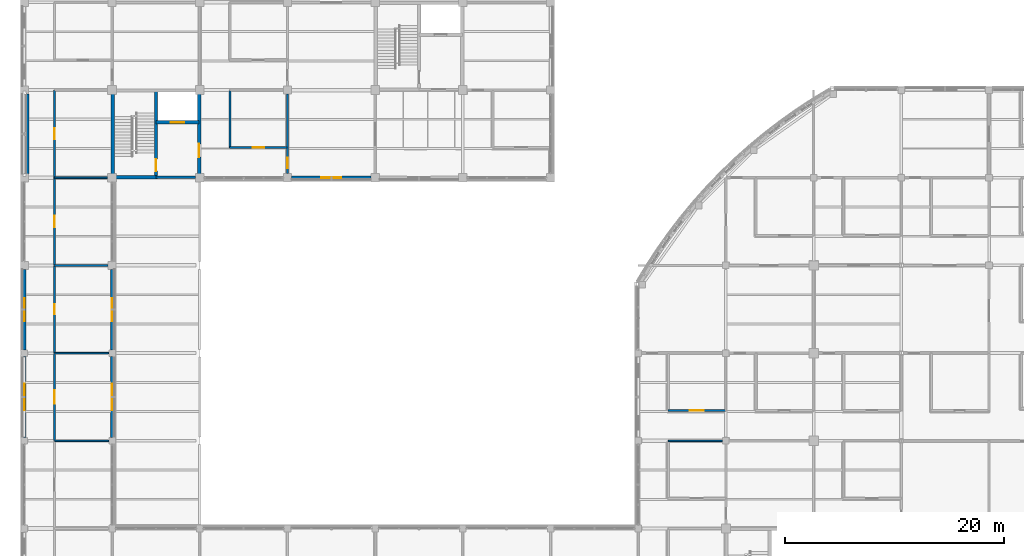
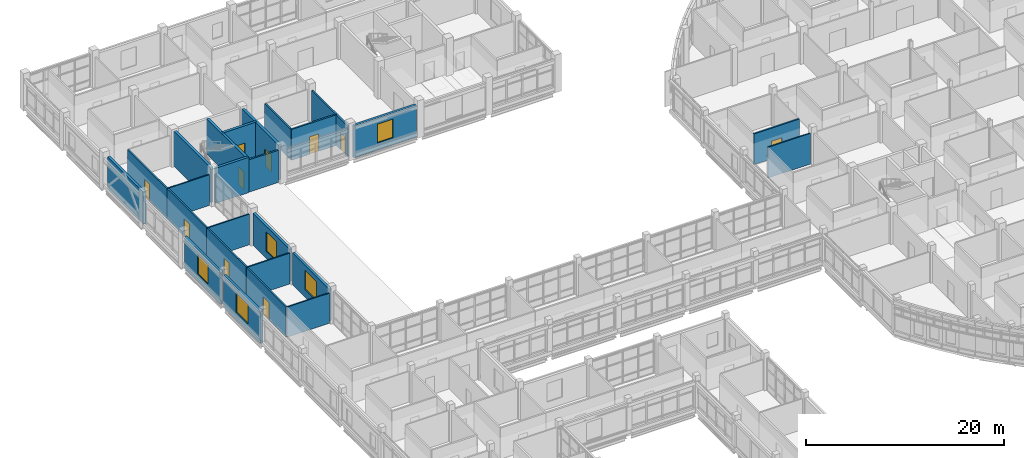
# One storey, part 85 of 121: 25 walls, 10 doors, 5 windows, 15 openings.
"""IFC4 building model written with IfcOpenShell, lengths in metres."""

from ifc_helpers import new_model, si_unit, derived_unit, direction, frame, frame_2d, origin, place, context, subcontext, project, spatial, rectangle, extrude, material, layer, layer_set, type_object, element, fill, save


model = new_model("IFC4")

# Units and contexts
model_context = context("Model", 3, precision=1e-05, world=origin(), true_north=direction((0.0, 1.0)))
body_context = subcontext(model_context, "Body", "Model", "MODEL_VIEW")
ifc_project = project(units=[si_unit("LENGTHUNIT", "METRE"), si_unit("AREAUNIT", "SQUARE_METRE"), si_unit("VOLUMEUNIT", "CUBIC_METRE"), si_unit("PLANEANGLEUNIT", "RADIAN"), si_unit("MASSUNIT", "GRAM", prefix="KILO"), derived_unit("THERMALTRANSMITTANCEUNIT", [(si_unit("MASSUNIT", "GRAM", prefix="KILO"), 1), (si_unit("TIMEUNIT", "SECOND"), -3), (si_unit("THERMODYNAMICTEMPERATUREUNIT", "KELVIN"), -1)])], contexts=[model_context])

# Site, building, storey
site_placement = place(None, origin())
site = spatial("IfcSite", under=ifc_project, at=site_placement, CompositionType="ELEMENT")
building_placement = place(site_placement, origin())
building = spatial("IfcBuilding", under=site, at=building_placement, Name="Veyamyaing Civic Hall", CompositionType="ELEMENT")
storey_placement = place(building_placement, frame((0.0, 0.0, 5.280029296875)))
storey = spatial("IfcBuildingStorey", under=building, at=storey_placement, Name="L01", CompositionType="ELEMENT", Elevation=5.280029296875)

# Wall, opening, window
ifc_material_1 = material(Name="Precast concrete C40/50", Category="concrete")
ifc_layer_1 = layer(ifc_material_1, 0.280029296875, Name="Precast concrete C40/50")
ifc_layer_set_1 = layer_set([ifc_layer_1], Name="Precast concrete C40/50")
wall_type_1 = type_object("IfcWallType", Name="WT-04", PredefinedType="SOLIDWALL", material=ifc_layer_set_1)
wall_1_placement = place(storey_placement, frame((0.0, 64.284912109375, 0.0), z_axis=(0.0, 0.0, 1.0), x_axis=(0.0, 1.0, 0.0)))
wall_1 = element("IfcWall", 1, at=wall_1_placement, inside=storey, type_object=wall_type_1, Name="Exterior facade wall WT-04 L01 W 1.9", PredefinedType="SOLIDWALL", context=body_context, shape_type="SweptSolid", body=[
    extrude(rectangle(XDim=7.43017578125, YDim=0.280029296875, at=frame_2d((3.715087890625, 0.0))), origin(), (0.0, 0.0, 1.0), 3.973876953125),
])
opening_1_placement = place(wall_1_placement, frame((2.514892578125, 0.0, 0.89990234375)))
opening_1 = element("IfcOpeningElement", 2, at=opening_1_placement, cuts=wall_1, Name="Opening W-04", PredefinedType="OPENING", context=body_context, shape_type="SweptSolid", body=[
    extrude(rectangle(XDim=2.39990234375, YDim=2.39990234375, at=frame_2d((1.199951171875, 1.199951171875))), frame((0.0, 0.14990234375, 0.0), z_axis=(0.0, -1.0, 0.0), x_axis=(1.0, 0.0, 0.0)), (0.0, 0.0, 1.0), 0.300048828125),
])
ifc_material_2 = material(Name="Low-E insulated glass", Category="glass")
window_type_1 = type_object("IfcWindowType", Name="W-04", PartitioningType="SINGLE_PANEL", PredefinedType="WINDOW", material=ifc_material_2)
window_1_placement = place(opening_1_placement, origin())
window_1 = element("IfcWindow", 3, at=window_1_placement, inside=storey, type_object=window_type_1, Name="Facade window W-04 L01 W 1.9", OverallHeight=2.39990234375, OverallWidth=2.39990234375, PartitioningType="SINGLE_PANEL", PredefinedType="WINDOW", context=body_context, shape_type="SweptSolid", body=[
    extrude(rectangle(XDim=2.39990234375, YDim=2.39990234375, at=frame_2d((1.199951171875, 1.199951171875))), frame((0.0, 0.030029296875, 0.0), z_axis=(0.0, -1.0, 0.0), x_axis=(1.0, 0.0, 0.0)), (0.0, 0.0, 1.0), 0.06005859375),
])
fill(opening_1, window_1)

wall_2_placement = place(storey_placement, frame((8.0, 64.284912109375, 0.0), z_axis=(0.0, 0.0, 1.0), x_axis=(0.0, 1.0, 0.0)))
wall_2 = element("IfcWall", 4, at=wall_2_placement, inside=storey, type_object=wall_type_1, Name="Exterior facade wall WT-04 L01 E 1.9", PredefinedType="SOLIDWALL", context=body_context, shape_type="SweptSolid", body=[
    extrude(rectangle(XDim=7.43017578125, YDim=0.280029296875, at=frame_2d((3.715087890625, 0.0))), origin(), (0.0, 0.0, 1.0), 3.9140625),
])
opening_2_placement = place(wall_2_placement, frame((2.514892578125, 0.0, 0.89990234375)))
opening_2 = element("IfcOpeningElement", 5, at=opening_2_placement, cuts=wall_2, Name="Opening W-04", PredefinedType="OPENING", context=body_context, shape_type="SweptSolid", body=[
    extrude(rectangle(XDim=2.39990234375, YDim=2.39990234375, at=frame_2d((1.199951171875, 1.199951171875))), frame((0.0, 0.14990234375, 0.0), z_axis=(0.0, -1.0, 0.0), x_axis=(1.0, 0.0, 0.0)), (0.0, 0.0, 1.0), 0.300048828125),
])
window_2_placement = place(opening_2_placement, origin())
window_2 = element("IfcWindow", 6, at=window_2_placement, inside=storey, type_object=window_type_1, Name="Facade window W-04 L01 E 1.9", OverallHeight=2.39990234375, OverallWidth=2.39990234375, PartitioningType="SINGLE_PANEL", PredefinedType="WINDOW", context=body_context, shape_type="SweptSolid", body=[
    extrude(rectangle(XDim=2.39990234375, YDim=2.39990234375, at=frame_2d((1.199951171875, 1.199951171875))), frame((0.0, 0.030029296875, 0.0), z_axis=(0.0, -1.0, 0.0), x_axis=(1.0, 0.0, 0.0)), (0.0, 0.0, 1.0), 0.06005859375),
])
fill(opening_2, window_2)

wall_3_placement = place(storey_placement, frame((0.0, 72.284912109375, 0.0), z_axis=(0.0, 0.0, 1.0), x_axis=(0.0, 1.0, 0.0)))
wall_3 = element("IfcWall", 7, at=wall_3_placement, inside=storey, type_object=wall_type_1, Name="Exterior facade wall WT-04 L01 W 1.10", PredefinedType="SOLIDWALL", context=body_context, shape_type="SweptSolid", body=[
    extrude(rectangle(XDim=7.35498046875, YDim=0.280029296875, at=frame_2d((3.677490234375, 0.0))), origin(), (0.0, 0.0, 1.0), 3.9140625),
])
opening_3_placement = place(wall_3_placement, frame((2.62744140625, 0.0, 0.89990234375)))
opening_3 = element("IfcOpeningElement", 8, at=opening_3_placement, cuts=wall_3, Name="Opening W-05", PredefinedType="OPENING", context=body_context, shape_type="SweptSolid", body=[
    extrude(rectangle(XDim=2.10009765625, YDim=2.39990234375, at=frame_2d((1.050048828125, 1.199951171875))), frame((0.0, 0.14990234375, 0.0), z_axis=(0.0, -1.0, 0.0), x_axis=(1.0, 0.0, 0.0)), (0.0, 0.0, 1.0), 0.300048828125),
])
window_type_2 = type_object("IfcWindowType", Name="W-05", PartitioningType="SINGLE_PANEL", PredefinedType="WINDOW", material=ifc_material_2)
window_3_placement = place(opening_3_placement, origin())
window_3 = element("IfcWindow", 9, at=window_3_placement, inside=storey, type_object=window_type_2, Name="Facade window W-05 L01 W 1.10", OverallHeight=2.39990234375, OverallWidth=2.10009765625, PartitioningType="SINGLE_PANEL", PredefinedType="WINDOW", context=body_context, shape_type="SweptSolid", body=[
    extrude(rectangle(XDim=2.10009765625, YDim=2.39990234375, at=frame_2d((1.050048828125, 1.199951171875))), frame((0.0, 0.030029296875, 0.0), z_axis=(0.0, -1.0, 0.0), x_axis=(1.0, 0.0, 0.0)), (0.0, 0.0, 1.0), 0.06005859375),
])
fill(opening_3, window_3)

wall_4_placement = place(storey_placement, frame((8.0, 72.284912109375, 0.0), z_axis=(0.0, 0.0, 1.0), x_axis=(0.0, 1.0, 0.0)))
wall_4 = element("IfcWall", 10, at=wall_4_placement, inside=storey, type_object=wall_type_1, Name="Exterior facade wall WT-04 L01 E 1.10", PredefinedType="SOLIDWALL", context=body_context, shape_type="SweptSolid", body=[
    extrude(rectangle(XDim=7.35498046875, YDim=0.280029296875, at=frame_2d((3.677490234375, 0.0))), origin(), (0.0, 0.0, 1.0), 3.97705078125),
])
opening_4_placement = place(wall_4_placement, frame((2.62744140625, 0.0, 0.89990234375)))
opening_4 = element("IfcOpeningElement", 11, at=opening_4_placement, cuts=wall_4, Name="Opening W-05", PredefinedType="OPENING", context=body_context, shape_type="SweptSolid", body=[
    extrude(rectangle(XDim=2.10009765625, YDim=2.39990234375, at=frame_2d((1.050048828125, 1.199951171875))), frame((0.0, 0.14990234375, 0.0), z_axis=(0.0, -1.0, 0.0), x_axis=(1.0, 0.0, 0.0)), (0.0, 0.0, 1.0), 0.300048828125),
])
window_4_placement = place(opening_4_placement, origin())
window_4 = element("IfcWindow", 12, at=window_4_placement, inside=storey, type_object=window_type_2, Name="Facade window W-05 L01 E 1.10", OverallHeight=2.39990234375, OverallWidth=2.10009765625, PartitioningType="SINGLE_PANEL", PredefinedType="WINDOW", context=body_context, shape_type="SweptSolid", body=[
    extrude(rectangle(XDim=2.10009765625, YDim=2.39990234375, at=frame_2d((1.050048828125, 1.199951171875))), frame((0.0, 0.030029296875, 0.0), z_axis=(0.0, -1.0, 0.0), x_axis=(1.0, 0.0, 0.0)), (0.0, 0.0, 1.0), 0.06005859375),
])
fill(opening_4, window_4)

# Wall
wall_5_placement = place(storey_placement, frame((0.300048828125, 88.360107421875, 0.0), z_axis=(0.0, 0.0, 1.0), x_axis=(0.0, 1.0, 0.0)))
element("IfcWall", 13, at=wall_5_placement, inside=storey, type_object=wall_type_1, Name="Exterior facade wall WT-04 L01 W 1.12", PredefinedType="SOLIDWALL", context=body_context, shape_type="SweptSolid", body=[
    extrude(rectangle(XDim=7.27978515625, YDim=0.280029296875, at=frame_2d((3.639892578125, 0.0))), origin(), (0.0, 0.0, 1.0), 3.909912109375),
])

# Wall, opening, window
wall_6_placement = place(storey_placement, frame((24.360107421875, 88.0, 0.0), z_axis=(0.0, 0.0, 1.0), x_axis=(1.0, 0.0, 0.0)))
wall_6 = element("IfcWall", 14, at=wall_6_placement, inside=storey, type_object=wall_type_1, Name="Exterior facade wall WT-04 L01 S 4.12", PredefinedType="SOLIDWALL", context=body_context, shape_type="SweptSolid", body=[
    extrude(rectangle(XDim=7.27978515625, YDim=0.280029296875, at=frame_2d((3.639892578125, 0.0))), origin(), (0.0, 0.0, 1.0), 3.97705078125),
])
opening_5_placement = place(wall_6_placement, frame((2.739990234375, 0.0, 0.89990234375)))
opening_5 = element("IfcOpeningElement", 15, at=opening_5_placement, cuts=wall_6, Name="Opening W-06", PredefinedType="OPENING", context=body_context, shape_type="SweptSolid", body=[
    extrude(rectangle(XDim=1.800048828125, YDim=2.300048828125, at=frame_2d((0.89990234375, 1.14990234375))), frame((0.0, 0.14990234375, 0.0), z_axis=(0.0, -1.0, 0.0), x_axis=(1.0, 0.0, 0.0)), (0.0, 0.0, 1.0), 0.300048828125),
])
window_type_3 = type_object("IfcWindowType", Name="W-06", PartitioningType="SINGLE_PANEL", PredefinedType="WINDOW", material=ifc_material_2)
window_5_placement = place(opening_5_placement, origin())
window_5 = element("IfcWindow", 16, at=window_5_placement, inside=storey, type_object=window_type_3, Name="Facade window W-06 L01 S 4.12", OverallHeight=2.300048828125, OverallWidth=1.800048828125, PartitioningType="SINGLE_PANEL", PredefinedType="WINDOW", context=body_context, shape_type="SweptSolid", body=[
    extrude(rectangle(XDim=1.800048828125, YDim=2.300048828125, at=frame_2d((0.89990234375, 1.14990234375))), frame((0.0, 0.030029296875, 0.0), z_axis=(0.0, -1.0, 0.0), x_axis=(1.0, 0.0, 0.0)), (0.0, 0.0, 1.0), 0.06005859375),
])
fill(opening_5, window_5)

# Wall
ifc_material_3 = material(Name="Concrete C40/50", Category="concrete")
ifc_layer_2 = layer(ifc_material_3, 0.300048828125, Name="Concrete C40/50")
ifc_layer_set_2 = layer_set([ifc_layer_2], Name="Concrete C40/50")
wall_type_2 = type_object("IfcWallType", Name="WT-05", PredefinedType="SHEAR", material=ifc_layer_set_2)
wall_7_placement = place(storey_placement, frame((8.050048828125, 88.2900390625, 0.0), z_axis=(0.0, 0.0, 1.0), x_axis=(0.0, 1.0, 0.0)))
element("IfcWall", 17, at=wall_7_placement, inside=storey, type_object=wall_type_2, Name="Core shear wall WT-05 CORE-1 L01.W", PredefinedType="SHEAR", context=body_context, shape_type="SweptSolid", body=[
    extrude(rectangle(XDim=7.419921875, YDim=0.300048828125, at=frame_2d((3.7099609375, 0.0))), origin(), (0.0, 0.0, 1.0), 4.3349609375),
])

# Wall, opening, door
wall_8_placement = place(storey_placement, frame((15.949951171875, 88.2900390625, 0.0), z_axis=(0.0, 0.0, 1.0), x_axis=(0.0, 1.0, 0.0)))
wall_8 = element("IfcWall", 18, at=wall_8_placement, inside=storey, type_object=wall_type_2, Name="Core shear wall WT-05 CORE-1 L01.E", PredefinedType="SHEAR", context=body_context, shape_type="SweptSolid", body=[
    extrude(rectangle(XDim=7.419921875, YDim=0.300048828125, at=frame_2d((3.7099609375, 0.0))), origin(), (0.0, 0.0, 1.0), 4.3349609375),
])
opening_6_placement = place(wall_8_placement, frame((1.60009765625, 0.0, 0.0)))
opening_6 = element("IfcOpeningElement", 19, at=opening_6_placement, cuts=wall_8, Name="Opening D-04", PredefinedType="OPENING", context=body_context, shape_type="SweptSolid", body=[
    extrude(rectangle(XDim=1.199951171875, YDim=2.14990234375, at=frame_2d((0.60009765625, 1.074951171875))), frame((0.0, 0.159912109375, 0.0), z_axis=(0.0, -1.0, 0.0), x_axis=(1.0, 0.0, 0.0)), (0.0, 0.0, 1.0), 0.320068359375),
])
ifc_material_4 = material(Name="Galvanized steel S355J2", Category="steel")
door_type_1 = type_object("IfcDoorType", Name="D-04", OperationType="NOTDEFINED", PredefinedType="DOOR", material=ifc_material_4)
door_1_placement = place(opening_6_placement, frame((1.199951171875, 0.0, 0.0), z_axis=(0.0, 0.0, 1.0), x_axis=(-1.0, 0.0, 0.0)))
door_1 = element("IfcDoor", 20, at=door_1_placement, inside=storey, type_object=door_type_1, Name="Protected lobby fire door D-04 CORE-1 L01", OperationType="SINGLE_SWING_RIGHT", OverallHeight=2.14990234375, OverallWidth=1.199951171875, PredefinedType="DOOR", context=body_context, shape_type="SweptSolid", body=[
    extrude(rectangle(XDim=1.199951171875, YDim=2.14990234375, at=frame_2d((0.60009765625, 1.074951171875))), frame((0.0, 0.02490234375, 0.0), z_axis=(0.0, -1.0, 0.0), x_axis=(1.0, 0.0, 0.0)), (0.0, 0.0, 1.0), 0.050048828125),
])
fill(opening_6, door_1)

# Wall
wall_9_placement = place(storey_placement, frame((8.2900390625, 88.050048828125, 0.0), z_axis=(0.0, 0.0, 1.0), x_axis=(1.0, 0.0, 0.0)))
element("IfcWall", 21, at=wall_9_placement, inside=storey, type_object=wall_type_2, Name="Core shear wall WT-05 CORE-1 L01.SS", PredefinedType="SHEAR", context=body_context, shape_type="SweptSolid", body=[
    extrude(rectangle(XDim=3.85986328125, YDim=0.300048828125, at=frame_2d((1.929931640625, 0.0))), origin(), (0.0, 0.0, 1.0), 4.3349609375),
])

# Wall, opening, door
wall_10_placement = place(storey_placement, frame((12.0, 88.050048828125, 0.0), z_axis=(0.0, 0.0, 1.0), x_axis=(0.0, 1.0, 0.0)))
wall_10 = element("IfcWall", 22, at=wall_10_placement, inside=storey, type_object=wall_type_2, Name="Core shear wall WT-05 CORE-1 L01.MID", PredefinedType="SHEAR", context=body_context, shape_type="SweptSolid", body=[
    extrude(rectangle(XDim=7.89990234375, YDim=0.300048828125, at=frame_2d((3.949951171875, 0.0))), origin(), (0.0, 0.0, 1.0), 4.3349609375),
])
opening_7_placement = place(wall_10_placement, frame((0.550048828125, 0.0, 0.0)))
opening_7 = element("IfcOpeningElement", 23, at=opening_7_placement, cuts=wall_10, Name="Opening D-03", PredefinedType="OPENING", context=body_context, shape_type="SweptSolid", body=[
    extrude(rectangle(XDim=1.10009765625, YDim=2.14990234375, at=frame_2d((0.550048828125, 1.074951171875))), frame((0.0, 0.159912109375, 0.0), z_axis=(0.0, -1.0, 0.0), x_axis=(1.0, 0.0, 0.0)), (0.0, 0.0, 1.0), 0.320068359375),
])
door_type_2 = type_object("IfcDoorType", Name="D-03", OperationType="NOTDEFINED", PredefinedType="DOOR", material=ifc_material_4)
door_2_placement = place(opening_7_placement, origin())
door_2 = element("IfcDoor", 24, at=door_2_placement, inside=storey, type_object=door_type_2, Name="Exit stair fire door D-03 ST-01 L01", OperationType="SINGLE_SWING_LEFT", OverallHeight=2.14990234375, OverallWidth=1.10009765625, PredefinedType="DOOR", context=body_context, shape_type="SweptSolid", body=[
    extrude(rectangle(XDim=1.10009765625, YDim=2.14990234375, at=frame_2d((0.550048828125, 1.074951171875))), frame((0.0, 0.02490234375, 0.0), z_axis=(0.0, -1.0, 0.0), x_axis=(1.0, 0.0, 0.0)), (0.0, 0.0, 1.0), 0.050048828125),
])
fill(opening_7, door_2)

wall_11_placement = place(storey_placement, frame((12.0, 93.050048828125, 0.0), z_axis=(0.0, 0.0, 1.0), x_axis=(1.0, 0.0, 0.0)))
wall_11 = element("IfcWall", 25, at=wall_11_placement, inside=storey, type_object=wall_type_2, Name="Core shear wall WT-05 CORE-1 L01.LFT", PredefinedType="SHEAR", context=body_context, shape_type="SweptSolid", body=[
    extrude(rectangle(XDim=3.949951171875, YDim=0.300048828125, at=frame_2d((1.97509765625, 0.0))), origin(), (0.0, 0.0, 1.0), 4.3349609375),
])
opening_8_placement = place(wall_11_placement, frame((1.375, 0.0, 0.0)))
opening_8 = element("IfcOpeningElement", 26, at=opening_8_placement, cuts=wall_11, Name="Opening LD-02", PredefinedType="OPENING", context=body_context, shape_type="SweptSolid", body=[
    extrude(rectangle(XDim=1.199951171875, YDim=2.199951171875, at=frame_2d((0.60009765625, 1.10009765625))), frame((0.0, 0.159912109375, 0.0), z_axis=(0.0, -1.0, 0.0), x_axis=(1.0, 0.0, 0.0)), (0.0, 0.0, 1.0), 0.320068359375),
])
door_type_3 = type_object("IfcDoorType", Name="LD-02", OperationType="SLIDING_TO_LEFT", PredefinedType="DOOR", material=ifc_material_4)
door_3_placement = place(opening_8_placement, origin())
door_3 = element("IfcDoor", 27, at=door_3_placement, inside=storey, type_object=door_type_3, Name="Lift sliding landing door LD-02 FL-01 L01", OperationType="SLIDING_TO_LEFT", OverallHeight=2.199951171875, OverallWidth=1.199951171875, PredefinedType="DOOR", context=body_context, shape_type="SweptSolid", body=[
    extrude(rectangle(XDim=1.199951171875, YDim=2.199951171875, at=frame_2d((0.60009765625, 1.10009765625))), frame((0.0, 0.02490234375, 0.0), z_axis=(0.0, -1.0, 0.0), x_axis=(1.0, 0.0, 0.0)), (0.0, 0.0, 1.0), 0.050048828125),
])
fill(opening_8, door_3)

# Wall
ifc_layer_3 = layer(ifc_material_3, 0.199951171875, Name="Concrete C40/50")
ifc_layer_set_3 = layer_set([ifc_layer_3], Name="Concrete C40/50")
wall_type_3 = type_object("IfcWallType", Name="WT-06", PredefinedType="PARTITIONING", material=ifc_layer_set_3)
wall_12_placement = place(storey_placement, frame((12.0, 88.050048828125, 0.0), z_axis=(0.0, 0.0, 1.0), x_axis=(1.0, 0.0, 0.0)))
element("IfcWall", 28, at=wall_12_placement, inside=storey, type_object=wall_type_3, Name="Firefighting lift lobby wall WT-06 CORE-1 L01", PredefinedType="PARTITIONING", context=body_context, shape_type="SweptSolid", body=[
    extrude(rectangle(XDim=3.610107421875, YDim=0.199951171875, at=frame_2d((1.80517578125, 0.0))), origin(), (0.0, 0.0, 1.0), 3.967041015625),
])

# Wall, opening, door
ifc_material_5 = material(Name="Gypsum board on acoustic steel stud", Category="steel")
ifc_layer_4 = layer(ifc_material_5, 0.175048828125, Name="Gypsum board on acoustic steel stud")
ifc_layer_set_4 = layer_set([ifc_layer_4], Name="Gypsum board on acoustic steel stud")
wall_type_4 = type_object("IfcWallType", Name="WT-07", PredefinedType="PARTITIONING", material=ifc_layer_set_4)
wall_13_placement = place(storey_placement, frame((2.75, 72.02001953125, 0.0), z_axis=(0.0, 0.0, 1.0), x_axis=(0.0, 1.0, 0.0)))
wall_13 = element("IfcWall", 29, at=wall_13_placement, inside=storey, type_object=wall_type_4, Name="Corridor gallery partition WT-07 L01.7.1", PredefinedType="PARTITIONING", context=body_context, shape_type="SweptSolid", body=[
    extrude(rectangle(XDim=7.9599609375, YDim=0.175048828125, at=frame_2d((3.97998046875, 0.0))), origin(), (0.0, 0.0, 1.0), 3.77099609375),
])
opening_9_placement = place(wall_13_placement, frame((3.510009765625, 0.0, 0.0)))
opening_9 = element("IfcOpeningElement", 30, at=opening_9_placement, cuts=wall_13, Name="Opening D-30", PredefinedType="OPENING", context=body_context, shape_type="SweptSolid", body=[
    extrude(rectangle(XDim=0.93994140625, YDim=2.1201171875, at=frame_2d((0.469970703125, 1.06005859375))), frame((0.0, 0.097412109375, 0.0), z_axis=(0.0, -1.0, 0.0), x_axis=(1.0, 0.0, 0.0)), (0.0, 0.0, 1.0), 0.195068359375),
])
ifc_material_6 = material(Name="Teak-veneered acoustic timber", Category="wood")
door_type_4 = type_object("IfcDoorType", Name="D-30", OperationType="NOTDEFINED", PredefinedType="DOOR", material=ifc_material_6)
door_4_placement = place(opening_9_placement, frame((0.93994140625, 0.0, 0.0), z_axis=(0.0, 0.0, 1.0), x_axis=(-1.0, 0.0, 0.0)))
door_4 = element("IfcDoor", 31, at=door_4_placement, inside=storey, type_object=door_type_4, Name="Gallery office door D-30 L01.7", OperationType="SINGLE_SWING_LEFT", OverallHeight=2.1201171875, OverallWidth=0.93994140625, PredefinedType="DOOR", context=body_context, shape_type="SweptSolid", body=[
    extrude(rectangle(XDim=0.93994140625, YDim=2.1201171875, at=frame_2d((0.469970703125, 1.06005859375))), frame((0.0, 0.02490234375, 0.0), z_axis=(0.0, -1.0, 0.0), x_axis=(1.0, 0.0, 0.0)), (0.0, 0.0, 1.0), 0.050048828125),
])
fill(opening_9, door_4)

wall_14_placement = place(storey_placement, frame((2.75, 88.02001953125, 0.0), z_axis=(0.0, 0.0, 1.0), x_axis=(0.0, 1.0, 0.0)))
wall_14 = element("IfcWall", 32, at=wall_14_placement, inside=storey, type_object=wall_type_4, Name="Corridor gallery partition WT-07 L01.9.1", PredefinedType="PARTITIONING", context=body_context, shape_type="SweptSolid", body=[
    extrude(rectangle(XDim=7.9599609375, YDim=0.175048828125, at=frame_2d((3.97998046875, 0.0))), origin(), (0.0, 0.0, 1.0), 3.7119140625),
])
opening_10_placement = place(wall_14_placement, frame((3.47998046875, 0.0, 0.0)))
opening_10 = element("IfcOpeningElement", 33, at=opening_10_placement, cuts=wall_14, Name="Opening D-13", PredefinedType="OPENING", context=body_context, shape_type="SweptSolid", body=[
    extrude(rectangle(XDim=1.0, YDim=2.14990234375, at=frame_2d((0.5, 1.074951171875))), frame((0.0, 0.097412109375, 0.0), z_axis=(0.0, -1.0, 0.0), x_axis=(1.0, 0.0, 0.0)), (0.0, 0.0, 1.0), 0.195068359375),
])
door_type_5 = type_object("IfcDoorType", Name="D-13", OperationType="NOTDEFINED", PredefinedType="DOOR", material=ifc_material_6)
door_5_placement = place(opening_10_placement, frame((1.0, 0.0, 0.0), z_axis=(0.0, 0.0, 1.0), x_axis=(-1.0, 0.0, 0.0)))
door_5 = element("IfcDoor", 34, at=door_5_placement, inside=storey, type_object=door_type_5, Name="Gallery office door D-13 L01.9", OperationType="SINGLE_SWING_LEFT", OverallHeight=2.14990234375, OverallWidth=1.0, PredefinedType="DOOR", context=body_context, shape_type="SweptSolid", body=[
    extrude(rectangle(XDim=1.0, YDim=2.14990234375, at=frame_2d((0.5, 1.074951171875))), frame((0.0, 0.02490234375, 0.0), z_axis=(0.0, -1.0, 0.0), x_axis=(1.0, 0.0, 0.0)), (0.0, 0.0, 1.0), 0.050048828125),
])
fill(opening_10, door_5)

# Walls
ifc_material_7 = material(Name="Gypsum board on steel stud", Category="steel")
ifc_layer_5 = layer(ifc_material_7, 0.14990234375, Name="Gypsum board on steel stud")
ifc_layer_set_5 = layer_set([ifc_layer_5], Name="Gypsum board on steel stud")
wall_type_5 = type_object("IfcWallType", Name="WT-08", PredefinedType="PARTITIONING", material=ifc_layer_set_5)
wall_15_placement = place(storey_placement, frame((2.75, 64.0, 0.0), z_axis=(0.0, 0.0, 1.0), x_axis=(1.0, 0.0, 0.0)))
element("IfcWall", 35, at=wall_15_placement, inside=storey, type_object=wall_type_5, Name="Gallery office end partition WT-08 L01.5.2", PredefinedType="PARTITIONING", context=body_context, shape_type="SweptSolid", body=[
    extrude(rectangle(XDim=4.93994140625, YDim=0.14990234375, at=frame_2d((2.469970703125, 0.0))), origin(), (0.0, 0.0, 1.0), 3.7119140625),
])
wall_16_placement = place(storey_placement, frame((2.75, 72.0, 0.0), z_axis=(0.0, 0.0, 1.0), x_axis=(1.0, 0.0, 0.0)))
element("IfcWall", 36, at=wall_16_placement, inside=storey, type_object=wall_type_5, Name="Gallery office end partition WT-08 L01.6.2", PredefinedType="PARTITIONING", context=body_context, shape_type="SweptSolid", body=[
    extrude(rectangle(XDim=4.93994140625, YDim=0.14990234375, at=frame_2d((2.469970703125, 0.0))), origin(), (0.0, 0.0, 1.0), 3.786865234375),
])
wall_17_placement = place(storey_placement, frame((2.75, 80.0, 0.0), z_axis=(0.0, 0.0, 1.0), x_axis=(1.0, 0.0, 0.0)))
element("IfcWall", 37, at=wall_17_placement, inside=storey, type_object=wall_type_5, Name="Gallery office end partition WT-08 L01.7.2", PredefinedType="PARTITIONING", context=body_context, shape_type="SweptSolid", body=[
    extrude(rectangle(XDim=4.864990234375, YDim=0.14990234375, at=frame_2d((2.4326171875, 0.0))), origin(), (0.0, 0.0, 1.0), 3.77099609375),
])
wall_18_placement = place(storey_placement, frame((2.75, 88.0, 0.0), z_axis=(0.0, 0.0, 1.0), x_axis=(1.0, 0.0, 0.0)))
element("IfcWall", 38, at=wall_18_placement, inside=storey, type_object=wall_type_5, Name="Gallery office end partition WT-08 L01.8.2", PredefinedType="PARTITIONING", context=body_context, shape_type="SweptSolid", body=[
    extrude(rectangle(XDim=4.840087890625, YDim=0.14990234375, at=frame_2d((2.419921875, 0.0))), origin(), (0.0, 0.0, 1.0), 3.781005859375),
])
wall_19_placement = place(storey_placement, frame((58.75, 64.0, 0.0), z_axis=(0.0, 0.0, 1.0), x_axis=(1.0, 0.0, 0.0)))
element("IfcWall", 39, at=wall_19_placement, inside=storey, type_object=wall_type_5, Name="Gallery office end partition WT-08 L01.35.1", PredefinedType="PARTITIONING", context=body_context, shape_type="SweptSolid", body=[
    extrude(rectangle(XDim=4.93994140625, YDim=0.14990234375, at=frame_2d((2.469970703125, 0.0))), origin(), (0.0, 0.0, 1.0), 3.781005859375),
])

# Wall, opening, door
ifc_material_8 = material(Name="Gypsum board on double acoustic stud")
ifc_layer_6 = layer(ifc_material_8, 0.18505859375, Name="Gypsum board on double acoustic stud")
ifc_layer_set_6 = layer_set([ifc_layer_6], Name="Gypsum board on double acoustic stud")
wall_type_6 = type_object("IfcWallType", Name="WT-19", PredefinedType="PARTITIONING", material=ifc_layer_set_6)
wall_20_placement = place(storey_placement, frame((2.75, 64.02001953125, 0.0), z_axis=(0.0, 0.0, 1.0), x_axis=(0.0, 1.0, 0.0)))
wall_20 = element("IfcWall", 40, at=wall_20_placement, inside=storey, type_object=wall_type_6, Name="Corridor gallery partition WT-19 L01.6.1", PredefinedType="PARTITIONING", context=body_context, shape_type="SweptSolid", body=[
    extrude(rectangle(XDim=7.9599609375, YDim=0.18505859375, at=frame_2d((3.97998046875, 0.0))), origin(), (0.0, 0.0, 1.0), 3.7119140625),
])
opening_11_placement = place(wall_20_placement, frame((3.35498046875, 0.0, 0.0)))
opening_11 = element("IfcOpeningElement", 41, at=opening_11_placement, cuts=wall_20, Name="Opening D-29", PredefinedType="OPENING", context=body_context, shape_type="SweptSolid", body=[
    extrude(rectangle(XDim=1.25, YDim=2.179931640625, at=frame_2d((0.625, 1.08984375))), frame((0.0, 0.1025390625, 0.0), z_axis=(0.0, -1.0, 0.0), x_axis=(1.0, 0.0, 0.0)), (0.0, 0.0, 1.0), 0.205078125),
])
door_type_6 = type_object("IfcDoorType", Name="D-29", OperationType="NOTDEFINED", PredefinedType="DOOR", material=ifc_material_6)
door_6_placement = place(opening_11_placement, frame((1.25, 0.0, 0.0), z_axis=(0.0, 0.0, 1.0), x_axis=(-1.0, 0.0, 0.0)))
door_6 = element("IfcDoor", 42, at=door_6_placement, inside=storey, type_object=door_type_6, Name="Gallery office door D-29 L01.6", OperationType="SINGLE_SWING_RIGHT", OverallHeight=2.179931640625, OverallWidth=1.25, PredefinedType="DOOR", context=body_context, shape_type="SweptSolid", body=[
    extrude(rectangle(XDim=1.25, YDim=2.179931640625, at=frame_2d((0.625, 1.08984375))), frame((0.0, 0.02490234375, 0.0), z_axis=(0.0, -1.0, 0.0), x_axis=(1.0, 0.0, 0.0)), (0.0, 0.0, 1.0), 0.050048828125),
])
fill(opening_11, door_6)

wall_21_placement = place(storey_placement, frame((2.75, 80.02001953125, 0.0), z_axis=(0.0, 0.0, 1.0), x_axis=(0.0, 1.0, 0.0)))
wall_21 = element("IfcWall", 43, at=wall_21_placement, inside=storey, type_object=wall_type_6, Name="Corridor gallery partition WT-19 L01.8.1", PredefinedType="PARTITIONING", context=body_context, shape_type="SweptSolid", body=[
    extrude(rectangle(XDim=7.9599609375, YDim=0.18505859375, at=frame_2d((3.97998046875, 0.0))), origin(), (0.0, 0.0, 1.0), 3.77099609375),
])
opening_12_placement = place(wall_21_placement, frame((3.455078125, 0.0, 0.0)))
opening_12 = element("IfcOpeningElement", 44, at=opening_12_placement, cuts=wall_21, Name="Opening D-12", PredefinedType="OPENING", context=body_context, shape_type="SweptSolid", body=[
    extrude(rectangle(XDim=1.050048828125, YDim=2.14990234375, at=frame_2d((0.52490234375, 1.074951171875))), frame((0.0, 0.1025390625, 0.0), z_axis=(0.0, -1.0, 0.0), x_axis=(1.0, 0.0, 0.0)), (0.0, 0.0, 1.0), 0.205078125),
])
door_type_7 = type_object("IfcDoorType", Name="D-12", OperationType="NOTDEFINED", PredefinedType="DOOR", material=ifc_material_6)
door_7_placement = place(opening_12_placement, frame((1.050048828125, 0.0, 0.0), z_axis=(0.0, 0.0, 1.0), x_axis=(-1.0, 0.0, 0.0)))
door_7 = element("IfcDoor", 45, at=door_7_placement, inside=storey, type_object=door_type_7, Name="Gallery office door D-12 L01.8", OperationType="SINGLE_SWING_RIGHT", OverallHeight=2.14990234375, OverallWidth=1.050048828125, PredefinedType="DOOR", context=body_context, shape_type="SweptSolid", body=[
    extrude(rectangle(XDim=1.050048828125, YDim=2.14990234375, at=frame_2d((0.52490234375, 1.074951171875))), frame((0.0, 0.02490234375, 0.0), z_axis=(0.0, -1.0, 0.0), x_axis=(1.0, 0.0, 0.0)), (0.0, 0.0, 1.0), 0.050048828125),
])
fill(opening_12, door_7)

wall_22_placement = place(storey_placement, frame((18.699951171875, 90.75, 0.0), z_axis=(0.0, 0.0, 1.0), x_axis=(1.0, 0.0, 0.0)))
wall_22 = element("IfcWall", 46, at=wall_22_placement, inside=storey, type_object=wall_type_6, Name="Corridor gallery partition WT-19 L01.18.1", PredefinedType="PARTITIONING", context=body_context, shape_type="SweptSolid", body=[
    extrude(rectangle(XDim=5.280029296875, YDim=0.18505859375, at=frame_2d((2.64013671875, 0.0))), origin(), (0.0, 0.0, 1.0), 3.781005859375),
])
opening_13_placement = place(wall_22_placement, frame((2.114990234375, 0.0, 0.0)))
opening_13 = element("IfcOpeningElement", 47, at=opening_13_placement, cuts=wall_22, Name="Opening D-12", PredefinedType="OPENING", context=body_context, shape_type="SweptSolid", body=[
    extrude(rectangle(XDim=1.050048828125, YDim=2.14990234375, at=frame_2d((0.52490234375, 1.074951171875))), frame((0.0, 0.1025390625, 0.0), z_axis=(0.0, -1.0, 0.0), x_axis=(1.0, 0.0, 0.0)), (0.0, 0.0, 1.0), 0.205078125),
])
door_8_placement = place(opening_13_placement, origin())
door_8 = element("IfcDoor", 48, at=door_8_placement, inside=storey, type_object=door_type_7, Name="Gallery office door D-12 L01.18", OperationType="SINGLE_SWING_RIGHT", OverallHeight=2.14990234375, OverallWidth=1.050048828125, PredefinedType="DOOR", context=body_context, shape_type="SweptSolid", body=[
    extrude(rectangle(XDim=1.050048828125, YDim=2.14990234375, at=frame_2d((0.52490234375, 1.074951171875))), frame((0.0, 0.02490234375, 0.0), z_axis=(0.0, -1.0, 0.0), x_axis=(1.0, 0.0, 0.0)), (0.0, 0.0, 1.0), 0.050048828125),
])
fill(opening_13, door_8)

# Wall
wall_23_placement = place(storey_placement, frame((18.75, 90.699951171875, 0.0), z_axis=(0.0, 0.0, 1.0), x_axis=(0.0, 1.0, 0.0)))
element("IfcWall", 49, at=wall_23_placement, inside=storey, type_object=wall_type_6, Name="Corridor gallery partition WT-19 L01.18.2", PredefinedType="PARTITIONING", context=body_context, shape_type="SweptSolid", body=[
    extrude(rectangle(XDim=5.280029296875, YDim=0.18505859375, at=frame_2d((2.64013671875, 0.0))), origin(), (0.0, 0.0, 1.0), 3.77099609375),
])

# Wall, opening, door
wall_24_placement = place(storey_placement, frame((58.699951171875, 66.75, 0.0), z_axis=(0.0, 0.0, 1.0), x_axis=(1.0, 0.0, 0.0)))
wall_24 = element("IfcWall", 50, at=wall_24_placement, inside=storey, type_object=wall_type_6, Name="Corridor gallery partition WT-19 L01.36.1", PredefinedType="PARTITIONING", context=body_context, shape_type="SweptSolid", body=[
    extrude(rectangle(XDim=5.280029296875, YDim=0.18505859375, at=frame_2d((2.64013671875, 0.0))), origin(), (0.0, 0.0, 1.0), 3.786865234375),
])
opening_14_placement = place(wall_24_placement, frame((2.014892578125, 0.0, 0.0)))
opening_14 = element("IfcOpeningElement", 51, at=opening_14_placement, cuts=wall_24, Name="Opening D-29", PredefinedType="OPENING", context=body_context, shape_type="SweptSolid", body=[
    extrude(rectangle(XDim=1.25, YDim=2.179931640625, at=frame_2d((0.625, 1.08984375))), frame((0.0, 0.1025390625, 0.0), z_axis=(0.0, -1.0, 0.0), x_axis=(1.0, 0.0, 0.0)), (0.0, 0.0, 1.0), 0.205078125),
])
door_9_placement = place(opening_14_placement, origin())
door_9 = element("IfcDoor", 52, at=door_9_placement, inside=storey, type_object=door_type_6, Name="Gallery office door D-29 L01.36", OperationType="SINGLE_SWING_RIGHT", OverallHeight=2.179931640625, OverallWidth=1.25, PredefinedType="DOOR", context=body_context, shape_type="SweptSolid", body=[
    extrude(rectangle(XDim=1.25, YDim=2.179931640625, at=frame_2d((0.625, 1.08984375))), frame((0.0, 0.02490234375, 0.0), z_axis=(0.0, -1.0, 0.0), x_axis=(1.0, 0.0, 0.0)), (0.0, 0.0, 1.0), 0.050048828125),
])
fill(opening_14, door_9)

wall_25_placement = place(storey_placement, frame((24.0, 88.364990234375, 0.0), z_axis=(0.0, 0.0, 1.0), x_axis=(0.0, 1.0, 0.0)))
wall_25 = element("IfcWall", 53, at=wall_25_placement, inside=storey, type_object=wall_type_6, Name="Interior partition wall WT-19 L01.16", PredefinedType="PARTITIONING", context=body_context, shape_type="SweptSolid", body=[
    extrude(rectangle(XDim=7.27001953125, YDim=0.18505859375, at=frame_2d((3.635009765625, 0.0))), origin(), (0.0, 0.0, 1.0), 3.781005859375),
])
opening_15_placement = place(wall_25_placement, frame((0.52001953125, 0.0, 0.0)))
opening_15 = element("IfcOpeningElement", 54, at=opening_15_placement, cuts=wall_25, Name="Opening D-30", PredefinedType="OPENING", context=body_context, shape_type="SweptSolid", body=[
    extrude(rectangle(XDim=0.93994140625, YDim=2.1201171875, at=frame_2d((0.469970703125, 1.06005859375))), frame((0.0, 0.1025390625, 0.0), z_axis=(0.0, -1.0, 0.0), x_axis=(1.0, 0.0, 0.0)), (0.0, 0.0, 1.0), 0.205078125),
])
door_10_placement = place(opening_15_placement, frame((0.93994140625, 0.0, 0.0), z_axis=(0.0, 0.0, 1.0), x_axis=(-1.0, 0.0, 0.0)))
door_10 = element("IfcDoor", 55, at=door_10_placement, inside=storey, type_object=door_type_4, Name="Interior door D-30 L01.16", OperationType="SINGLE_SWING_RIGHT", OverallHeight=2.1201171875, OverallWidth=0.93994140625, PredefinedType="DOOR", context=body_context, shape_type="SweptSolid", body=[
    extrude(rectangle(XDim=0.93994140625, YDim=2.1201171875, at=frame_2d((0.469970703125, 1.06005859375))), frame((0.0, 0.02490234375, 0.0), z_axis=(0.0, -1.0, 0.0), x_axis=(1.0, 0.0, 0.0)), (0.0, 0.0, 1.0), 0.050048828125),
])
fill(opening_15, door_10)

save(model, "model.ifc")
